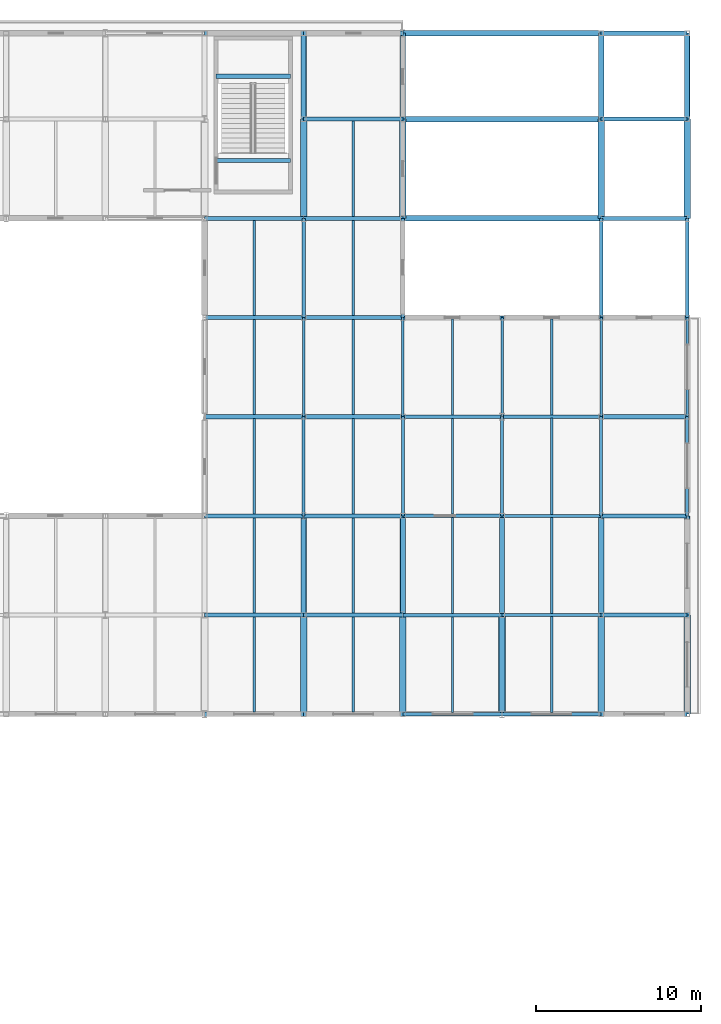
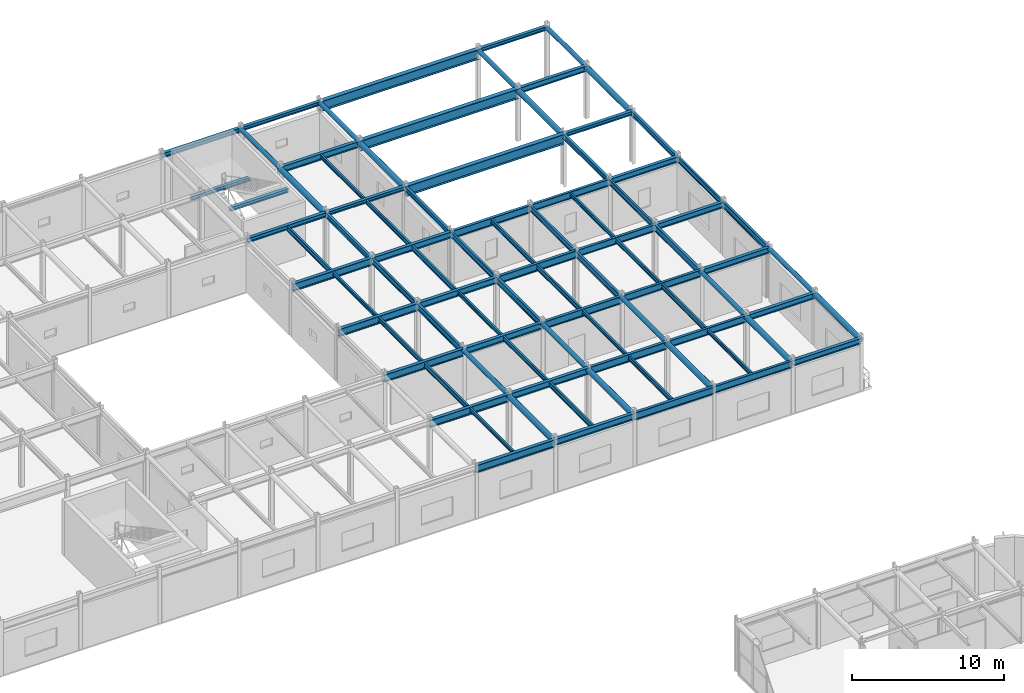
# One storey, part 54 of 96: 89 beams.
"""IFC4 building model written with IfcOpenShell, lengths in metres."""

from ifc_helpers import new_model, si_unit, direction, frame, origin, origin_2d, place, context, subcontext, project, spatial, hollow_circle, i_section, extrude, material, material_profile, profile_set, type_object, element, save


model = new_model("IFC4")

# Units and contexts
model_context = context("Model", 3, precision=1e-05, world=origin(), true_north=direction((0.0, 1.0)))
body_context = subcontext(model_context, "Body", "Model", "MODEL_VIEW")
ifc_project = project(units=[si_unit("LENGTHUNIT", "METRE"), si_unit("AREAUNIT", "SQUARE_METRE"), si_unit("VOLUMEUNIT", "CUBIC_METRE"), si_unit("PLANEANGLEUNIT", "RADIAN"), si_unit("MASSUNIT", "GRAM", prefix="KILO")], contexts=[model_context])

# Site, building, storey
site_placement = place(None, origin())
site = spatial("IfcSite", under=ifc_project, at=site_placement, CompositionType="ELEMENT")
building_placement = place(site_placement, origin())
building = spatial("IfcBuilding", under=site, at=building_placement, Name="Varnakota Square Police Headquarters", CompositionType="ELEMENT")
storey_placement = place(building_placement, frame((0.0, 0.0, 4.800048828125)))
storey = spatial("IfcBuildingStorey", under=building, at=storey_placement, Name="L01", CompositionType="ELEMENT", Elevation=4.800048828125)

# Beams
ifc_material = material(Name="Steel IS 2062 Grade 350", Category="steel")
ifc_material_profile_1 = material_profile(ifc_material, hollow_circle(Radius=0.161865234375, WallThickness=0.0126953125, at=origin_2d()), Name="CHS 323.9x12.7")
ifc_profile_set_1 = profile_set([ifc_material_profile_1], Name="Steel IS 2062 Grade 350")
beam_type_1 = type_object("IfcBeamType", Name="BM-ARC-CHS324", PredefinedType="BEAM", material=ifc_profile_set_1)
beam_1_placement = place(storey_placement, frame((138.0, 75.0, 4.0380859375), z_axis=(0.0, 1.0, 0.0), x_axis=(-1.0, 0.0, 0.0)))
element("IfcBeam", 1, at=beam_1_placement, inside=storey, type_object=beam_type_1, Name="BMG-L01-1724", PredefinedType="BEAM", context=body_context, shape_type="SweptSolid", body=[
    extrude(hollow_circle(Radius=0.161865234375, WallThickness=0.0126953125, at=origin_2d()), origin(), (0.0, 0.0, 1.0), 6.0),
])
beam_2_placement = place(storey_placement, frame((138.0, 105.0, 4.0380859375), z_axis=(0.0, 1.0, 0.0), x_axis=(-1.0, 0.0, 0.0)))
element("IfcBeam", 2, at=beam_2_placement, inside=storey, type_object=beam_type_1, Name="BMG-L01-1729", PredefinedType="BEAM", context=body_context, shape_type="SweptSolid", body=[
    extrude(hollow_circle(Radius=0.161865234375, WallThickness=0.0126953125, at=origin_2d()), origin(), (0.0, 0.0, 1.0), 5.199951171875),
])
beam_3_placement = place(storey_placement, frame((144.0, 75.0, 4.0380859375), z_axis=(0.0, 1.0, 0.0), x_axis=(-1.0, 0.0, 0.0)))
element("IfcBeam", 3, at=beam_3_placement, inside=storey, type_object=beam_type_1, Name="BMG-L01-1738", PredefinedType="BEAM", context=body_context, shape_type="SweptSolid", body=[
    extrude(hollow_circle(Radius=0.161865234375, WallThickness=0.0126953125, at=origin_2d()), origin(), (0.0, 0.0, 1.0), 6.0),
])
beam_4_placement = place(storey_placement, frame((144.0, 105.0, 4.0380859375), z_axis=(0.0, 1.0, 0.0), x_axis=(-1.0, 0.0, 0.0)))
element("IfcBeam", 4, at=beam_4_placement, inside=storey, type_object=beam_type_1, Name="BMG-L01-1743", PredefinedType="BEAM", context=body_context, shape_type="SweptSolid", body=[
    extrude(hollow_circle(Radius=0.161865234375, WallThickness=0.0126953125, at=origin_2d()), origin(), (0.0, 0.0, 1.0), 5.199951171875),
])
for number, where, z_axis, x_axis, name in (
    (5, (150.0, 75.0, 4.0380859375), (0.0, 1.0, 0.0), (-1.0, 0.0, 0.0), "BMG-L01-1752"),
    (6, (156.0, 75.0, 4.0380859375), (0.0, 1.0, 0.0), (-1.0, 0.0, 0.0), "BMG-L01-1761"),
):
    element("IfcBeam", number, at=place(storey_placement, frame(where, z_axis=z_axis, x_axis=x_axis)), inside=storey, type_object=beam_type_1, Name=name, PredefinedType="BEAM", context=body_context, shape_type="SweptSolid", body=[
        extrude(hollow_circle(Radius=0.161865234375, WallThickness=0.0126953125, at=origin_2d()), origin(), (0.0, 0.0, 1.0), 6.0),
    ])
beam_5_placement = place(storey_placement, frame((156.0, 105.0, 4.0380859375), z_axis=(0.0, 1.0, 0.0), x_axis=(-1.0, 0.0, 0.0)))
element("IfcBeam", 7, at=beam_5_placement, inside=storey, type_object=beam_type_1, Name="BMG-L01-1766", PredefinedType="BEAM", context=body_context, shape_type="SweptSolid", body=[
    extrude(hollow_circle(Radius=0.161865234375, WallThickness=0.0126953125, at=origin_2d()), origin(), (0.0, 0.0, 1.0), 5.199951171875),
])
beam_6_placement = place(storey_placement, frame((161.199951171875, 75.0, 4.0380859375), z_axis=(0.0, 1.0, 0.0), x_axis=(-1.0, 0.0, 0.0)))
element("IfcBeam", 8, at=beam_6_placement, inside=storey, type_object=beam_type_1, Name="BMG-L01-1773", PredefinedType="BEAM", context=body_context, shape_type="SweptSolid", body=[
    extrude(hollow_circle(Radius=0.161865234375, WallThickness=0.0126953125, at=origin_2d()), origin(), (0.0, 0.0, 1.0), 6.0),
])
beam_7_placement = place(storey_placement, frame((161.199951171875, 105.0, 4.0380859375), z_axis=(0.0, 1.0, 0.0), x_axis=(-1.0, 0.0, 0.0)))
element("IfcBeam", 9, at=beam_7_placement, inside=storey, type_object=beam_type_1, Name="BMG-L01-1778", PredefinedType="BEAM", context=body_context, shape_type="SweptSolid", body=[
    extrude(hollow_circle(Radius=0.161865234375, WallThickness=0.0126953125, at=origin_2d()), origin(), (0.0, 0.0, 1.0), 5.199951171875),
])
ifc_material_profile_2 = material_profile(ifc_material, hollow_circle(Radius=0.203125, WallThickness=0.01611328125, at=origin_2d()), Name="CHS 406.4x16.0")
ifc_profile_set_2 = profile_set([ifc_material_profile_2], Name="Steel IS 2062 Grade 350")
beam_type_2 = type_object("IfcBeamType", Name="BM-ARC-CHS406", PredefinedType="BEAM", material=ifc_profile_set_2)
for number, where, z_axis, x_axis, name in (
    (10, (138.0, 69.0, 3.996826171875), (0.0, 1.0, 0.0), (-1.0, 0.0, 0.0), "BMG-L01-1723"),
    (11, (138.0, 99.0, 3.996826171875), (0.0, 1.0, 0.0), (-1.0, 0.0, 0.0), "BMG-L01-1728"),
    (12, (144.0, 69.0, 3.996826171875), (0.0, 1.0, 0.0), (-1.0, 0.0, 0.0), "BMG-L01-1737"),
    (13, (144.0, 99.0, 3.996826171875), (0.0, 1.0, 0.0), (-1.0, 0.0, 0.0), "BMG-L01-1742"),
    (14, (150.0, 69.0, 3.996826171875), (0.0, 1.0, 0.0), (-1.0, 0.0, 0.0), "BMG-L01-1751"),
    (15, (156.0, 69.0, 3.996826171875), (0.0, 1.0, 0.0), (-1.0, 0.0, 0.0), "BMG-L01-1760"),
    (16, (156.0, 99.0, 3.996826171875), (0.0, 1.0, 0.0), (-1.0, 0.0, 0.0), "BMG-L01-1765"),
    (17, (161.199951171875, 69.0, 3.996826171875), (0.0, 1.0, 0.0), (-1.0, 0.0, 0.0), "BMG-L01-1772"),
    (18, (161.199951171875, 99.0, 3.996826171875), (0.0, 1.0, 0.0), (-1.0, 0.0, 0.0), "BMG-L01-1777"),
):
    element("IfcBeam", number, at=place(storey_placement, frame(where, z_axis=z_axis, x_axis=x_axis)), inside=storey, type_object=beam_type_2, Name=name, PredefinedType="BEAM", context=body_context, shape_type="SweptSolid", body=[
        extrude(hollow_circle(Radius=0.203125, WallThickness=0.01611328125, at=origin_2d()), origin(), (0.0, 0.0, 1.0), 6.0),
    ])
ifc_material_profile_3 = material_profile(ifc_material, i_section(OverallWidth=0.320068359375, OverallDepth=0.800048828125, WebThickness=0.01611328125, FlangeThickness=0.028076171875, at=origin_2d()), Name="BPG 800x320")
ifc_profile_set_3 = profile_set([ifc_material_profile_3], Name="Steel IS 2062 Grade 350")
beam_type_3 = type_object("IfcBeamType", Name="BM-BPG800", PredefinedType="BEAM", material=ifc_profile_set_3)
for number, where, z_axis, x_axis, name in (
    (19, (144.0, 99.0, 3.800048828125), (1.0, 0.0, 0.0), (0.0, 1.0, 0.0), "BMG-L01-1508"),
    (20, (144.0, 105.0, 3.800048828125), (1.0, 0.0, 0.0), (0.0, 1.0, 0.0), "BMG-L01-1519"),
    (21, (144.0, 110.199951171875, 3.800048828125), (1.0, 0.0, 0.0), (0.0, 1.0, 0.0), "BMG-L01-1535"),
):
    element("IfcBeam", number, at=place(storey_placement, frame(where, z_axis=z_axis, x_axis=x_axis)), inside=storey, type_object=beam_type_3, Name=name, PredefinedType="BEAM", context=body_context, shape_type="SweptSolid", body=[
        extrude(i_section(OverallWidth=0.320068359375, OverallDepth=0.800048828125, WebThickness=0.01611328125, FlangeThickness=0.028076171875, at=origin_2d()), origin(), (0.0, 0.0, 1.0), 12.0),
    ])
ifc_material_profile_4 = material_profile(ifc_material, i_section(OverallWidth=0.25, OverallDepth=0.300048828125, WebThickness=0.009521484375, FlangeThickness=0.010498046875, FilletRadius=0.011962890625, at=origin_2d()), Name="ISHB 300")
ifc_profile_set_4 = profile_set([ifc_material_profile_4], Name="Steel IS 2062 Grade 350")
beam_type_4 = type_object("IfcBeamType", Name="BM-ISHB300", PredefinedType="BEAM", material=ifc_profile_set_4)
beam_8_placement = place(storey_placement, frame((138.0, 99.0, 4.050048828125), z_axis=(1.0, 0.0, 0.0), x_axis=(0.0, 1.0, 0.0)))
element("IfcBeam", 22, at=beam_8_placement, inside=storey, type_object=beam_type_4, Name="BMG-L01-1507", PredefinedType="BEAM", context=body_context, shape_type="SweptSolid", body=[
    extrude(i_section(OverallWidth=0.25, OverallDepth=0.300048828125, WebThickness=0.009521484375, FlangeThickness=0.010498046875, FilletRadius=0.011962890625, at=origin_2d()), origin(), (0.0, 0.0, 1.0), 6.0),
])
beam_9_placement = place(storey_placement, frame((156.0, 99.0, 4.050048828125), z_axis=(1.0, 0.0, 0.0), x_axis=(0.0, 1.0, 0.0)))
element("IfcBeam", 23, at=beam_9_placement, inside=storey, type_object=beam_type_4, Name="BMG-L01-1509", PredefinedType="BEAM", context=body_context, shape_type="SweptSolid", body=[
    extrude(i_section(OverallWidth=0.25, OverallDepth=0.300048828125, WebThickness=0.009521484375, FlangeThickness=0.010498046875, FilletRadius=0.011962890625, at=origin_2d()), origin(), (0.0, 0.0, 1.0), 5.199951171875),
])
beam_10_placement = place(storey_placement, frame((138.0, 110.199951171875, 4.050048828125), z_axis=(1.0, 0.0, 0.0), x_axis=(0.0, 1.0, 0.0)))
element("IfcBeam", 24, at=beam_10_placement, inside=storey, type_object=beam_type_4, Name="BMG-L01-1534", PredefinedType="BEAM", context=body_context, shape_type="SweptSolid", body=[
    extrude(i_section(OverallWidth=0.25, OverallDepth=0.300048828125, WebThickness=0.009521484375, FlangeThickness=0.010498046875, FilletRadius=0.011962890625, at=origin_2d()), origin(), (0.0, 0.0, 1.0), 6.0),
])
beam_11_placement = place(storey_placement, frame((156.0, 110.199951171875, 4.050048828125), z_axis=(1.0, 0.0, 0.0), x_axis=(0.0, 1.0, 0.0)))
element("IfcBeam", 25, at=beam_11_placement, inside=storey, type_object=beam_type_4, Name="BMG-L01-1536", PredefinedType="BEAM", context=body_context, shape_type="SweptSolid", body=[
    extrude(i_section(OverallWidth=0.25, OverallDepth=0.300048828125, WebThickness=0.009521484375, FlangeThickness=0.010498046875, FilletRadius=0.011962890625, at=origin_2d()), origin(), (0.0, 0.0, 1.0), 5.199951171875),
])
for number, where, z_axis, x_axis, name in (
    (26, (132.699951171875, 107.6005859375, 1.94189453125), (1.0, 0.0, 0.0), (0.0, 1.0, 0.0), "Stair landing support beam BM-LND-0091"),
    (27, (132.699951171875, 102.5, 4.14990234375), (1.0, 0.0, 0.0), (0.0, 1.0, 0.0), "Stair landing support beam BM-LND-0092"),
):
    element("IfcBeam", number, at=place(storey_placement, frame(where, z_axis=z_axis, x_axis=x_axis)), inside=storey, type_object=beam_type_4, Name=name, PredefinedType="BEAM", context=body_context, shape_type="SweptSolid", body=[
        extrude(i_section(OverallWidth=0.25, OverallDepth=0.300048828125, WebThickness=0.009521484375, FlangeThickness=0.010498046875, FilletRadius=0.011962890625, at=origin_2d()), origin(), (0.0, 0.0, 1.0), 4.5),
    ])
ifc_material_profile_5 = material_profile(ifc_material, i_section(OverallWidth=0.25, OverallDepth=0.35009765625, WebThickness=0.010009765625, FlangeThickness=0.01171875, FilletRadius=0.011962890625, at=origin_2d()), Name="ISHB 350")
ifc_profile_set_5 = profile_set([ifc_material_profile_5], Name="Steel IS 2062 Grade 350")
beam_type_5 = type_object("IfcBeamType", Name="BM-ISHB350", PredefinedType="BEAM", material=ifc_profile_set_5)
for number, where, z_axis, x_axis, name in (
    (28, (132.0, 99.0, 4.02490234375), (1.0, 0.0, 0.0), (0.0, 1.0, 0.0), "BMG-L01-1506"),
    (29, (132.0, 110.199951171875, 4.02490234375), (1.0, 0.0, 0.0), (0.0, 1.0, 0.0), "BMG-L01-1533"),
):
    element("IfcBeam", number, at=place(storey_placement, frame(where, z_axis=z_axis, x_axis=x_axis)), inside=storey, type_object=beam_type_5, Name=name, PredefinedType="BEAM", context=body_context, shape_type="SweptSolid", body=[
        extrude(i_section(OverallWidth=0.25, OverallDepth=0.35009765625, WebThickness=0.010009765625, FlangeThickness=0.01171875, FilletRadius=0.011962890625, at=origin_2d()), origin(), (0.0, 0.0, 1.0), 6.0),
    ])
ifc_material_profile_6 = material_profile(ifc_material, i_section(OverallWidth=0.25, OverallDepth=0.449951171875, WebThickness=0.01123046875, FlangeThickness=0.013671875, FilletRadius=0.014892578125, at=origin_2d()), Name="ISHB 450")
ifc_profile_set_6 = profile_set([ifc_material_profile_6], Name="Steel IS 2062 Grade 350")
beam_type_6 = type_object("IfcBeamType", Name="BM-ISHB450", PredefinedType="BEAM", material=ifc_profile_set_6)
for number, where, z_axis, x_axis, name in (
    (30, (156.0, 69.0, 3.974853515625), (1.0, 0.0, 0.0), (0.0, 1.0, 0.0), "BMG-L01-1442"),
    (31, (156.0, 75.0, 3.974853515625), (1.0, 0.0, 0.0), (0.0, 1.0, 0.0), "BMG-L01-1457"),
    (32, (156.0, 81.0, 3.974853515625), (1.0, 0.0, 0.0), (0.0, 1.0, 0.0), "BMG-L01-1473"),
    (33, (156.0, 87.0, 3.974853515625), (1.0, 0.0, 0.0), (0.0, 1.0, 0.0), "BMG-L01-1487"),
    (34, (156.0, 93.0, 3.974853515625), (1.0, 0.0, 0.0), (0.0, 1.0, 0.0), "BMG-L01-1493"),
    (35, (156.0, 105.0, 3.974853515625), (1.0, 0.0, 0.0), (0.0, 1.0, 0.0), "BMG-L01-1520"),
):
    element("IfcBeam", number, at=place(storey_placement, frame(where, z_axis=z_axis, x_axis=x_axis)), inside=storey, type_object=beam_type_6, Name=name, PredefinedType="BEAM", context=body_context, shape_type="SweptSolid", body=[
        extrude(i_section(OverallWidth=0.25, OverallDepth=0.449951171875, WebThickness=0.01123046875, FlangeThickness=0.013671875, FilletRadius=0.014892578125, at=origin_2d()), origin(), (0.0, 0.0, 1.0), 5.199951171875),
    ])
ifc_material_profile_7 = material_profile(ifc_material, i_section(OverallWidth=0.139892578125, OverallDepth=0.300048828125, WebThickness=0.0078125, FlangeThickness=0.01318359375, FilletRadius=0.013916015625, at=origin_2d()), Name="ISMB 300")
ifc_profile_set_7 = profile_set([ifc_material_profile_7], Name="Steel IS 2062 Grade 350")
beam_type_7 = type_object("IfcBeamType", Name="BM-ISMB300", PredefinedType="JOIST", material=ifc_profile_set_7)
for number, where, z_axis, x_axis, name in (
    (36, (135.0, 69.123046875, 4.050048828125), (0.0, 1.0, 0.0), (-1.0, 0.0, 0.0), "BMG-L01-1864"),
    (37, (135.0, 87.123046875, 4.050048828125), (0.0, 1.0, 0.0), (-1.0, 0.0, 0.0), "BMG-L01-1867"),
    (38, (141.0, 81.123046875, 4.050048828125), (0.0, 1.0, 0.0), (-1.0, 0.0, 0.0), "BMG-L01-1874"),
    (39, (141.0, 99.123046875, 4.050048828125), (0.0, 1.0, 0.0), (-1.0, 0.0, 0.0), "BMG-L01-1877"),
):
    element("IfcBeam", number, at=place(storey_placement, frame(where, z_axis=z_axis, x_axis=x_axis)), inside=storey, type_object=beam_type_7, Name=name, PredefinedType="JOIST", context=body_context, shape_type="SweptSolid", body=[
        extrude(i_section(OverallWidth=0.139892578125, OverallDepth=0.300048828125, WebThickness=0.0078125, FlangeThickness=0.01318359375, FilletRadius=0.013916015625, at=origin_2d()), origin(), (0.0, 0.0, 1.0), 5.75390625),
    ])
beam_12_placement = place(storey_placement, frame((147.0, 75.10302734375, 4.050048828125), z_axis=(0.0, 1.0, 0.0), x_axis=(-1.0, 0.0, 0.0)))
element("IfcBeam", 40, at=beam_12_placement, inside=storey, type_object=beam_type_7, Name="BMG-L01-1885", PredefinedType="JOIST", context=body_context, shape_type="SweptSolid", body=[
    extrude(i_section(OverallWidth=0.139892578125, OverallDepth=0.300048828125, WebThickness=0.0078125, FlangeThickness=0.01318359375, FilletRadius=0.013916015625, at=origin_2d()), origin(), (0.0, 0.0, 1.0), 5.7939453125),
])
for number, where, z_axis, x_axis, name in (
    (41, (153.0, 69.093017578125, 4.050048828125), (0.0, 1.0, 0.0), (-1.0, 0.0, 0.0), "BMG-L01-1892"),
    (42, (153.0, 87.093017578125, 4.050048828125), (0.0, 1.0, 0.0), (-1.0, 0.0, 0.0), "BMG-L01-1895"),
):
    element("IfcBeam", number, at=place(storey_placement, frame(where, z_axis=z_axis, x_axis=x_axis)), inside=storey, type_object=beam_type_7, Name=name, PredefinedType="JOIST", context=body_context, shape_type="SweptSolid", body=[
        extrude(i_section(OverallWidth=0.139892578125, OverallDepth=0.300048828125, WebThickness=0.0078125, FlangeThickness=0.01318359375, FilletRadius=0.013916015625, at=origin_2d()), origin(), (0.0, 0.0, 1.0), 5.81396484375),
    ])
ifc_material_profile_8 = material_profile(ifc_material, i_section(OverallWidth=0.139892578125, OverallDepth=0.35009765625, WebThickness=0.008056640625, FlangeThickness=0.01416015625, FilletRadius=0.013916015625, at=origin_2d()), Name="ISMB 350")
ifc_profile_set_8 = profile_set([ifc_material_profile_8], Name="Steel IS 2062 Grade 350")
beam_type_8 = type_object("IfcBeamType", Name="BM-ISMB350", PredefinedType="JOIST", material=ifc_profile_set_8)
for number, where, z_axis, x_axis, name in (
    (43, (135.0, 81.123046875, 4.02490234375), (0.0, 1.0, 0.0), (-1.0, 0.0, 0.0), "BMG-L01-1866"),
    (44, (141.0, 75.123046875, 4.02490234375), (0.0, 1.0, 0.0), (-1.0, 0.0, 0.0), "BMG-L01-1873"),
    (45, (141.0, 93.123046875, 4.02490234375), (0.0, 1.0, 0.0), (-1.0, 0.0, 0.0), "BMG-L01-1876"),
):
    element("IfcBeam", number, at=place(storey_placement, frame(where, z_axis=z_axis, x_axis=x_axis)), inside=storey, type_object=beam_type_8, Name=name, PredefinedType="JOIST", context=body_context, shape_type="SweptSolid", body=[
        extrude(i_section(OverallWidth=0.139892578125, OverallDepth=0.35009765625, WebThickness=0.008056640625, FlangeThickness=0.01416015625, FilletRadius=0.013916015625, at=origin_2d()), origin(), (0.0, 0.0, 1.0), 5.75390625),
    ])
for number, where, z_axis, x_axis, name in (
    (46, (147.0, 69.10302734375, 4.02490234375), (0.0, 1.0, 0.0), (-1.0, 0.0, 0.0), "BMG-L01-1884"),
    (47, (147.0, 87.10302734375, 4.02490234375), (0.0, 1.0, 0.0), (-1.0, 0.0, 0.0), "BMG-L01-1887"),
):
    element("IfcBeam", number, at=place(storey_placement, frame(where, z_axis=z_axis, x_axis=x_axis)), inside=storey, type_object=beam_type_8, Name=name, PredefinedType="JOIST", context=body_context, shape_type="SweptSolid", body=[
        extrude(i_section(OverallWidth=0.139892578125, OverallDepth=0.35009765625, WebThickness=0.008056640625, FlangeThickness=0.01416015625, FilletRadius=0.013916015625, at=origin_2d()), origin(), (0.0, 0.0, 1.0), 5.7939453125),
    ])
beam_13_placement = place(storey_placement, frame((153.0, 81.093017578125, 4.02490234375), z_axis=(0.0, 1.0, 0.0), x_axis=(-1.0, 0.0, 0.0)))
element("IfcBeam", 48, at=beam_13_placement, inside=storey, type_object=beam_type_8, Name="BMG-L01-1894", PredefinedType="JOIST", context=body_context, shape_type="SweptSolid", body=[
    extrude(i_section(OverallWidth=0.139892578125, OverallDepth=0.35009765625, WebThickness=0.008056640625, FlangeThickness=0.01416015625, FilletRadius=0.013916015625, at=origin_2d()), origin(), (0.0, 0.0, 1.0), 5.81396484375),
])
ifc_material_profile_9 = material_profile(ifc_material, i_section(OverallWidth=0.139892578125, OverallDepth=0.39990234375, WebThickness=0.0087890625, FlangeThickness=0.01611328125, FilletRadius=0.013916015625, at=origin_2d()), Name="ISMB 400")
ifc_profile_set_9 = profile_set([ifc_material_profile_9], Name="Steel IS 2062 Grade 350")
beam_type_9 = type_object("IfcBeamType", Name="BM-ISMB400", PredefinedType="JOIST", material=ifc_profile_set_9)
for number, where, z_axis, x_axis, name in (
    (49, (135.0, 75.123046875, 4.0), (0.0, 1.0, 0.0), (-1.0, 0.0, 0.0), "BMG-L01-1865"),
    (50, (135.0, 93.123046875, 4.0), (0.0, 1.0, 0.0), (-1.0, 0.0, 0.0), "BMG-L01-1868"),
    (51, (141.0, 69.123046875, 4.0), (0.0, 1.0, 0.0), (-1.0, 0.0, 0.0), "BMG-L01-1872"),
    (52, (141.0, 87.123046875, 4.0), (0.0, 1.0, 0.0), (-1.0, 0.0, 0.0), "BMG-L01-1875"),
):
    element("IfcBeam", number, at=place(storey_placement, frame(where, z_axis=z_axis, x_axis=x_axis)), inside=storey, type_object=beam_type_9, Name=name, PredefinedType="JOIST", context=body_context, shape_type="SweptSolid", body=[
        extrude(i_section(OverallWidth=0.139892578125, OverallDepth=0.39990234375, WebThickness=0.0087890625, FlangeThickness=0.01611328125, FilletRadius=0.013916015625, at=origin_2d()), origin(), (0.0, 0.0, 1.0), 5.75390625),
    ])
beam_14_placement = place(storey_placement, frame((147.0, 81.10302734375, 4.0), z_axis=(0.0, 1.0, 0.0), x_axis=(-1.0, 0.0, 0.0)))
element("IfcBeam", 53, at=beam_14_placement, inside=storey, type_object=beam_type_9, Name="BMG-L01-1886", PredefinedType="JOIST", context=body_context, shape_type="SweptSolid", body=[
    extrude(i_section(OverallWidth=0.139892578125, OverallDepth=0.39990234375, WebThickness=0.0087890625, FlangeThickness=0.01611328125, FilletRadius=0.013916015625, at=origin_2d()), origin(), (0.0, 0.0, 1.0), 5.7939453125),
])
beam_15_placement = place(storey_placement, frame((153.0, 75.093017578125, 4.0), z_axis=(0.0, 1.0, 0.0), x_axis=(-1.0, 0.0, 0.0)))
element("IfcBeam", 54, at=beam_15_placement, inside=storey, type_object=beam_type_9, Name="BMG-L01-1893", PredefinedType="JOIST", context=body_context, shape_type="SweptSolid", body=[
    extrude(i_section(OverallWidth=0.139892578125, OverallDepth=0.39990234375, WebThickness=0.0087890625, FlangeThickness=0.01611328125, FilletRadius=0.013916015625, at=origin_2d()), origin(), (0.0, 0.0, 1.0), 5.81396484375),
])
ifc_material_profile_10 = material_profile(ifc_material, i_section(OverallWidth=0.14990234375, OverallDepth=0.449951171875, WebThickness=0.009521484375, FlangeThickness=0.017333984375, FilletRadius=0.014892578125, at=origin_2d()), Name="ISMB 450")
ifc_profile_set_10 = profile_set([ifc_material_profile_10], Name="Steel IS 2062 Grade 350")
beam_type_10 = type_object("IfcBeamType", Name="BM-ISMB450", PredefinedType="BEAM", material=ifc_profile_set_10)
for number, where, z_axis, x_axis, name in (
    (55, (138.0, 87.0, 3.974853515625), (0.0, 1.0, 0.0), (-1.0, 0.0, 0.0), "BMG-L01-1726"),
    (56, (144.0, 87.0, 3.974853515625), (0.0, 1.0, 0.0), (-1.0, 0.0, 0.0), "BMG-L01-1740"),
    (57, (150.0, 87.0, 3.974853515625), (0.0, 1.0, 0.0), (-1.0, 0.0, 0.0), "BMG-L01-1754"),
    (58, (156.0, 87.0, 3.974853515625), (0.0, 1.0, 0.0), (-1.0, 0.0, 0.0), "BMG-L01-1763"),
    (59, (161.199951171875, 87.0, 3.974853515625), (0.0, 1.0, 0.0), (-1.0, 0.0, 0.0), "BMG-L01-1775"),
):
    element("IfcBeam", number, at=place(storey_placement, frame(where, z_axis=z_axis, x_axis=x_axis)), inside=storey, type_object=beam_type_10, Name=name, PredefinedType="BEAM", context=body_context, shape_type="SweptSolid", body=[
        extrude(i_section(OverallWidth=0.14990234375, OverallDepth=0.449951171875, WebThickness=0.009521484375, FlangeThickness=0.017333984375, FilletRadius=0.014892578125, at=origin_2d()), origin(), (0.0, 0.0, 1.0), 6.0),
    ])
ifc_material_profile_11 = material_profile(ifc_material, i_section(OverallWidth=0.179931640625, OverallDepth=0.5, WebThickness=0.01025390625, FlangeThickness=0.01708984375, FilletRadius=0.01708984375, at=origin_2d()), Name="ISMB 500")
ifc_profile_set_11 = profile_set([ifc_material_profile_11], Name="Steel IS 2062 Grade 350")
beam_type_11 = type_object("IfcBeamType", Name="BM-ISMB500", PredefinedType="BEAM", material=ifc_profile_set_11)
for number, where, z_axis, x_axis, name in (
    (60, (138.0, 81.0, 3.949951171875), (0.0, 1.0, 0.0), (-1.0, 0.0, 0.0), "BMG-L01-1725"),
    (61, (144.0, 81.0, 3.949951171875), (0.0, 1.0, 0.0), (-1.0, 0.0, 0.0), "BMG-L01-1739"),
    (62, (150.0, 81.0, 3.949951171875), (0.0, 1.0, 0.0), (-1.0, 0.0, 0.0), "BMG-L01-1753"),
    (63, (156.0, 81.0, 3.949951171875), (0.0, 1.0, 0.0), (-1.0, 0.0, 0.0), "BMG-L01-1762"),
    (64, (161.199951171875, 81.0, 3.949951171875), (0.0, 1.0, 0.0), (-1.0, 0.0, 0.0), "BMG-L01-1774"),
):
    element("IfcBeam", number, at=place(storey_placement, frame(where, z_axis=z_axis, x_axis=x_axis)), inside=storey, type_object=beam_type_11, Name=name, PredefinedType="BEAM", context=body_context, shape_type="SweptSolid", body=[
        extrude(i_section(OverallWidth=0.179931640625, OverallDepth=0.5, WebThickness=0.01025390625, FlangeThickness=0.01708984375, FilletRadius=0.01708984375, at=origin_2d()), origin(), (0.0, 0.0, 1.0), 6.0),
    ])
ifc_material_profile_12 = material_profile(ifc_material, i_section(OverallWidth=0.18994140625, OverallDepth=0.550048828125, WebThickness=0.01123046875, FlangeThickness=0.019287109375, FilletRadius=0.01806640625, at=origin_2d()), Name="ISMB 550")
ifc_profile_set_12 = profile_set([ifc_material_profile_12], Name="Steel IS 2062 Grade 350")
beam_type_12 = type_object("IfcBeamType", Name="BM-ISMB550", PredefinedType="BEAM", material=ifc_profile_set_12)
for number, where, z_axis, x_axis, name in (
    (65, (150.0, 69.0, 3.925048828125), (1.0, 0.0, 0.0), (0.0, 1.0, 0.0), "BMG-L01-1441"),
    (66, (150.0, 75.0, 3.925048828125), (1.0, 0.0, 0.0), (0.0, 1.0, 0.0), "BMG-L01-1456"),
    (67, (150.0, 81.0, 3.925048828125), (1.0, 0.0, 0.0), (0.0, 1.0, 0.0), "BMG-L01-1472"),
    (68, (150.0, 87.0, 3.925048828125), (1.0, 0.0, 0.0), (0.0, 1.0, 0.0), "BMG-L01-1486"),
    (69, (150.0, 93.0, 3.925048828125), (1.0, 0.0, 0.0), (0.0, 1.0, 0.0), "BMG-L01-1492"),
):
    element("IfcBeam", number, at=place(storey_placement, frame(where, z_axis=z_axis, x_axis=x_axis)), inside=storey, type_object=beam_type_12, Name=name, PredefinedType="BEAM", context=body_context, shape_type="SweptSolid", body=[
        extrude(i_section(OverallWidth=0.18994140625, OverallDepth=0.550048828125, WebThickness=0.01123046875, FlangeThickness=0.019287109375, FilletRadius=0.01806640625, at=origin_2d()), origin(), (0.0, 0.0, 1.0), 6.0),
    ])
ifc_material_profile_13 = material_profile(ifc_material, i_section(OverallWidth=0.2099609375, OverallDepth=0.60009765625, WebThickness=0.011962890625, FlangeThickness=0.020751953125, FilletRadius=0.02001953125, at=origin_2d()), Name="ISMB 600")
ifc_profile_set_13 = profile_set([ifc_material_profile_13], Name="Steel IS 2062 Grade 350")
beam_type_13 = type_object("IfcBeamType", Name="BM-ISMB600", PredefinedType="BEAM", material=ifc_profile_set_13)
for number, where, z_axis, x_axis, name in (
    (70, (144.0, 69.0, 3.89990234375), (1.0, 0.0, 0.0), (0.0, 1.0, 0.0), "BMG-L01-1440"),
    (71, (144.0, 75.0, 3.89990234375), (1.0, 0.0, 0.0), (0.0, 1.0, 0.0), "BMG-L01-1455"),
    (72, (144.0, 81.0, 3.89990234375), (1.0, 0.0, 0.0), (0.0, 1.0, 0.0), "BMG-L01-1471"),
    (73, (144.0, 87.0, 3.89990234375), (1.0, 0.0, 0.0), (0.0, 1.0, 0.0), "BMG-L01-1485"),
    (74, (144.0, 93.0, 3.89990234375), (1.0, 0.0, 0.0), (0.0, 1.0, 0.0), "BMG-L01-1491"),
):
    element("IfcBeam", number, at=place(storey_placement, frame(where, z_axis=z_axis, x_axis=x_axis)), inside=storey, type_object=beam_type_13, Name=name, PredefinedType="BEAM", context=body_context, shape_type="SweptSolid", body=[
        extrude(i_section(OverallWidth=0.2099609375, OverallDepth=0.60009765625, WebThickness=0.011962890625, FlangeThickness=0.020751953125, FilletRadius=0.02001953125, at=origin_2d()), origin(), (0.0, 0.0, 1.0), 6.0),
    ])
ifc_material_profile_14 = material_profile(ifc_material, i_section(OverallWidth=0.199951171875, OverallDepth=0.39990234375, WebThickness=0.008544921875, FlangeThickness=0.012939453125, FilletRadius=0.012939453125, at=origin_2d()), Name="ISWB 400")
ifc_profile_set_14 = profile_set([ifc_material_profile_14], Name="Steel IS 2062 Grade 350")
beam_type_14 = type_object("IfcBeamType", Name="BM-ISWB400", PredefinedType="BEAM", material=ifc_profile_set_14)
for number, where, z_axis, x_axis, name in (
    (75, (138.0, 93.0, 4.0), (0.0, 1.0, 0.0), (-1.0, 0.0, 0.0), "BMG-L01-1727"),
    (76, (144.0, 93.0, 4.0), (0.0, 1.0, 0.0), (-1.0, 0.0, 0.0), "BMG-L01-1741"),
    (77, (156.0, 93.0, 4.0), (0.0, 1.0, 0.0), (-1.0, 0.0, 0.0), "BMG-L01-1764"),
    (78, (161.199951171875, 93.0, 4.0), (0.0, 1.0, 0.0), (-1.0, 0.0, 0.0), "BMG-L01-1776"),
):
    element("IfcBeam", number, at=place(storey_placement, frame(where, z_axis=z_axis, x_axis=x_axis)), inside=storey, type_object=beam_type_14, Name=name, PredefinedType="BEAM", context=body_context, shape_type="SweptSolid", body=[
        extrude(i_section(OverallWidth=0.199951171875, OverallDepth=0.39990234375, WebThickness=0.008544921875, FlangeThickness=0.012939453125, FilletRadius=0.012939453125, at=origin_2d()), origin(), (0.0, 0.0, 1.0), 6.0),
    ])
ifc_material_profile_15 = material_profile(ifc_material, i_section(OverallWidth=0.25, OverallDepth=0.5, WebThickness=0.010009765625, FlangeThickness=0.0146484375, FilletRadius=0.014892578125, at=origin_2d()), Name="ISWB 500")
ifc_profile_set_15 = profile_set([ifc_material_profile_15], Name="Steel IS 2062 Grade 350")
beam_type_15 = type_object("IfcBeamType", Name="BM-ISWB500", PredefinedType="BEAM", material=ifc_profile_set_15)
for number, where, z_axis, x_axis, name in (
    (79, (138.0, 69.0, 3.949951171875), (1.0, 0.0, 0.0), (0.0, 1.0, 0.0), "BMG-L01-1439"),
    (80, (138.0, 75.0, 3.949951171875), (1.0, 0.0, 0.0), (0.0, 1.0, 0.0), "BMG-L01-1454"),
    (81, (138.0, 81.0, 3.949951171875), (1.0, 0.0, 0.0), (0.0, 1.0, 0.0), "BMG-L01-1470"),
    (82, (138.0, 87.0, 3.949951171875), (1.0, 0.0, 0.0), (0.0, 1.0, 0.0), "BMG-L01-1484"),
    (83, (138.0, 93.0, 3.949951171875), (1.0, 0.0, 0.0), (0.0, 1.0, 0.0), "BMG-L01-1490"),
    (84, (138.0, 105.0, 3.949951171875), (1.0, 0.0, 0.0), (0.0, 1.0, 0.0), "BMG-L01-1518"),
):
    element("IfcBeam", number, at=place(storey_placement, frame(where, z_axis=z_axis, x_axis=x_axis)), inside=storey, type_object=beam_type_15, Name=name, PredefinedType="BEAM", context=body_context, shape_type="SweptSolid", body=[
        extrude(i_section(OverallWidth=0.25, OverallDepth=0.5, WebThickness=0.010009765625, FlangeThickness=0.0146484375, FilletRadius=0.014892578125, at=origin_2d()), origin(), (0.0, 0.0, 1.0), 6.0),
    ])
ifc_material_profile_16 = material_profile(ifc_material, i_section(OverallWidth=0.25, OverallDepth=0.60009765625, WebThickness=0.01171875, FlangeThickness=0.023681640625, FilletRadius=0.01708984375, at=origin_2d()), Name="ISWB 600")
ifc_profile_set_16 = profile_set([ifc_material_profile_16], Name="Steel IS 2062 Grade 350")
beam_type_16 = type_object("IfcBeamType", Name="BM-ISWB600", PredefinedType="BEAM", material=ifc_profile_set_16)
for number, where, z_axis, x_axis, name in (
    (85, (132.0, 69.0, 3.89990234375), (1.0, 0.0, 0.0), (0.0, 1.0, 0.0), "BMG-L01-1438"),
    (86, (132.0, 75.0, 3.89990234375), (1.0, 0.0, 0.0), (0.0, 1.0, 0.0), "BMG-L01-1453"),
    (87, (132.0, 81.0, 3.89990234375), (1.0, 0.0, 0.0), (0.0, 1.0, 0.0), "BMG-L01-1469"),
    (88, (132.0, 87.0, 3.89990234375), (1.0, 0.0, 0.0), (0.0, 1.0, 0.0), "BMG-L01-1483"),
    (89, (132.0, 93.0, 3.89990234375), (1.0, 0.0, 0.0), (0.0, 1.0, 0.0), "BMG-L01-1489"),
):
    element("IfcBeam", number, at=place(storey_placement, frame(where, z_axis=z_axis, x_axis=x_axis)), inside=storey, type_object=beam_type_16, Name=name, PredefinedType="BEAM", context=body_context, shape_type="SweptSolid", body=[
        extrude(i_section(OverallWidth=0.25, OverallDepth=0.60009765625, WebThickness=0.01171875, FlangeThickness=0.023681640625, FilletRadius=0.01708984375, at=origin_2d()), origin(), (0.0, 0.0, 1.0), 6.0),
    ])

save(model, "model.ifc")
